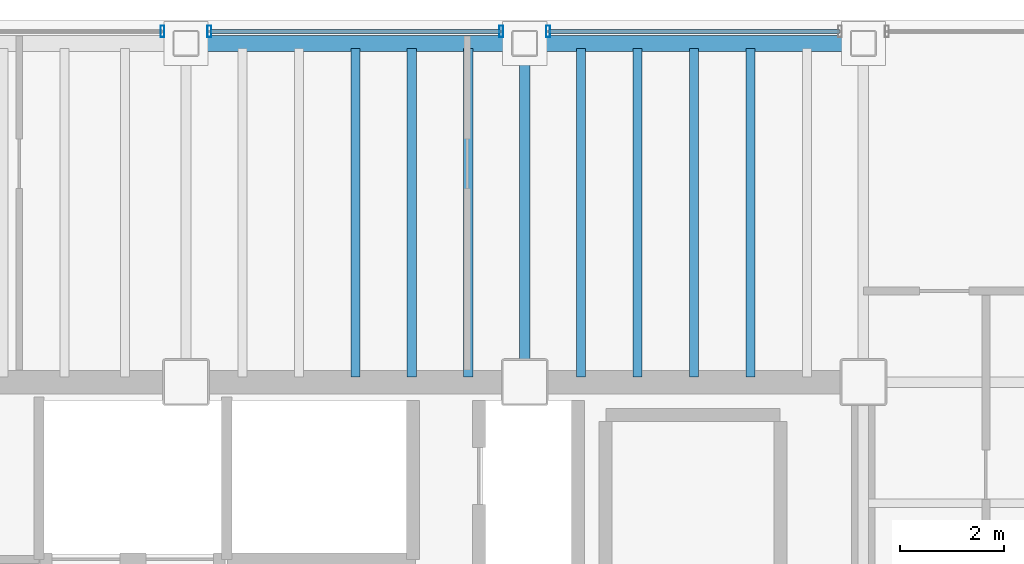
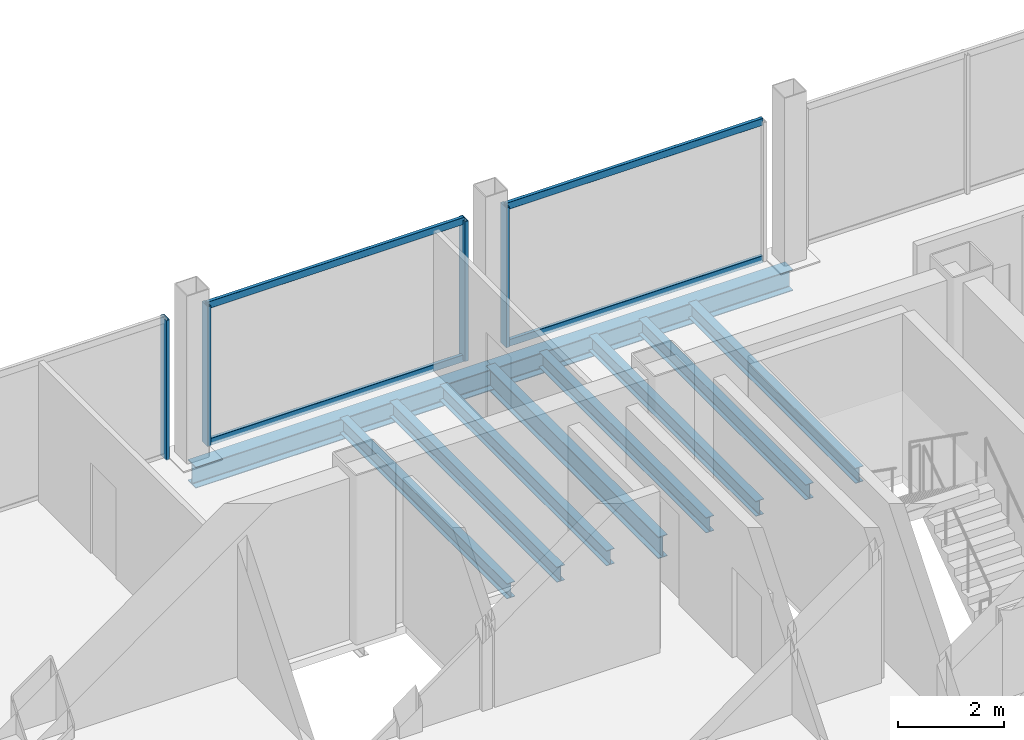
# One storey, part 9 of 15: 10 beams, 8 members, 3 elements without a shape of their own.
"""IFC4 building model written with IfcOpenShell, lengths in metres."""

from ifc_helpers import new_model, si_unit, direction, frame, origin, origin_2d, place, context, subcontext, project, spatial, hollow_rectangle, i_section, extrude, material, material_profile, profile_set, type_object, element, aggregate, save


model = new_model("IFC4")

# Units and contexts
model_context = context("Model", 3, precision=1e-05, world=origin(), true_north=direction((0.0, 1.0)))
body_context = subcontext(model_context, "Body", "Model", "MODEL_VIEW")
ifc_project = project(units=[si_unit("LENGTHUNIT", "METRE"), si_unit("AREAUNIT", "SQUARE_METRE"), si_unit("VOLUMEUNIT", "CUBIC_METRE"), si_unit("PLANEANGLEUNIT", "RADIAN"), si_unit("MASSUNIT", "GRAM", prefix="KILO")], contexts=[model_context])

# Site, building, storey
site_placement = place(None, origin())
site = spatial("IfcSite", under=ifc_project, at=site_placement, CompositionType="ELEMENT")
building_placement = place(site_placement, origin())
building = spatial("IfcBuilding", under=site, at=building_placement, Name="Noeulbin Bourse Tower", CompositionType="ELEMENT")
storey_placement = place(building_placement, frame((0.0, 0.0, 189.0)))
storey = spatial("IfcBuildingStorey", under=building, at=storey_placement, Name="L47", CompositionType="ELEMENT", Elevation=189.0)

# Beams
ifc_material_1 = material(Name="Steel S355", Category="steel")
ifc_material_profile_1 = material_profile(ifc_material_1, i_section(OverallWidth=0.199951171875, OverallDepth=0.5, WebThickness=0.010009765625, FlangeThickness=0.01611328125, FilletRadius=0.02001953125, at=origin_2d()), Name="H-500x200x10x16", Category="LoadBearing")
ifc_profile_set_1 = profile_set([ifc_material_profile_1], Name="Steel S355")
beam_type_1 = type_object("IfcBeamType", Name="BM-GRD-500", PredefinedType="USERDEFINED", material=ifc_profile_set_1)
beam_placement = place(storey_placement, frame((37.5, 38.300048828125, -0.429931640625), z_axis=(0.0, 1.0, 0.0), x_axis=(-1.0, 0.0, 0.0)))
element("IfcBeam", 1, at=beam_placement, inside=storey, type_object=beam_type_1, Name="Tower Primary Girder NS L47-4.4", ObjectType="GIRDER", PredefinedType="USERDEFINED", context=body_context, shape_type="SweptSolid", body=[
    extrude(i_section(OverallWidth=0.199951171875, OverallDepth=0.5, WebThickness=0.010009765625, FlangeThickness=0.01611328125, FilletRadius=0.02001953125, at=origin_2d()), origin(), (0.0, 0.0, 1.0), 6.5),
])
ifc_material_profile_2 = material_profile(ifc_material_1, i_section(OverallWidth=0.175048828125, OverallDepth=0.35009765625, WebThickness=0.007080078125, FlangeThickness=0.010986328125, FilletRadius=0.013916015625, at=origin_2d()), Name="H-350x175x7x11", Category="LoadBearing")
ifc_profile_set_2 = profile_set([ifc_material_profile_2], Name="Steel S355")
beam_type_2 = type_object("IfcBeamType", Name="BM-JST-350", PredefinedType="JOIST", material=ifc_profile_set_2)
for number, where, z_axis, x_axis, name in (
    (2, (34.25, 38.39990234375, -0.35498046875), (0.0, 1.0, 0.0), (-1.0, 0.0, 0.0), "Tower Composite Joist L47-45"),
    (3, (35.333251953125, 38.39990234375, -0.35498046875), (0.0, 1.0, 0.0), (-1.0, 0.0, 0.0), "Tower Composite Joist L47-48"),
    (4, (36.416748046875, 38.39990234375, -0.35498046875), (0.0, 1.0, 0.0), (-1.0, 0.0, 0.0), "Tower Composite Joist L47-51"),
    (5, (38.583251953125, 38.39990234375, -0.35498046875), (0.0, 1.0, 0.0), (-1.0, 0.0, 0.0), "Tower Composite Joist L47-54"),
    (6, (39.666748046875, 38.39990234375, -0.35498046875), (0.0, 1.0, 0.0), (-1.0, 0.0, 0.0), "Tower Composite Joist L47-57"),
    (7, (40.75, 38.39990234375, -0.35498046875), (0.0, 1.0, 0.0), (-1.0, 0.0, 0.0), "Tower Composite Joist L47-60"),
    (8, (41.833251953125, 38.39990234375, -0.35498046875), (0.0, 1.0, 0.0), (-1.0, 0.0, 0.0), "Tower Composite Joist L47-63"),
):
    element("IfcBeam", number, at=place(storey_placement, frame(where, z_axis=z_axis, x_axis=x_axis)), inside=storey, type_object=beam_type_2, Name=name, PredefinedType="JOIST", context=body_context, shape_type="SweptSolid", body=[
        extrude(i_section(OverallWidth=0.175048828125, OverallDepth=0.35009765625, WebThickness=0.007080078125, FlangeThickness=0.010986328125, FilletRadius=0.013916015625, at=origin_2d()), origin(), (0.0, 0.0, 1.0), 6.300048828125),
    ])
ifc_material_profile_3 = material_profile(ifc_material_1, i_section(OverallWidth=0.300048828125, OverallDepth=0.488037109375, WebThickness=0.010986328125, FlangeThickness=0.01806640625, FilletRadius=0.02197265625, at=origin_2d()), Name="H-488x300x11x18", Category="LoadBearing")
ifc_profile_set_3 = profile_set([ifc_material_profile_3], Name="Steel S355")
beam_type_3 = type_object("IfcBeamType", Name="BM-SPN-488", PredefinedType="SPANDREL", material=ifc_profile_set_3)
for number, where, z_axis, x_axis, name in (
    (9, (31.0, 44.800048828125, -0.424072265625), (1.0, 0.0, 0.0), (0.0, 1.0, 0.0), "North Spandrel L47-3"),
    (10, (37.5, 44.800048828125, -0.424072265625), (1.0, 0.0, 0.0), (0.0, 1.0, 0.0), "North Spandrel L47-4"),
):
    element("IfcBeam", number, at=place(storey_placement, frame(where, z_axis=z_axis, x_axis=x_axis)), inside=storey, type_object=beam_type_3, Name=name, PredefinedType="SPANDREL", context=body_context, shape_type="SweptSolid", body=[
        extrude(i_section(OverallWidth=0.300048828125, OverallDepth=0.488037109375, WebThickness=0.010986328125, FlangeThickness=0.01806640625, FilletRadius=0.02197265625, at=origin_2d()), origin(), (0.0, 0.0, 1.0), 6.5),
    ])

# Curtain wall, member
ifc_material_2 = material(Name="Dark Tinted Triple Glazing", Category="glass")
curtain_wall_type = type_object("IfcCurtainWallType", Name="CW-SYS-3", PredefinedType="NOTDEFINED", material=ifc_material_2)
curtain_wall_1_placement = place(storey_placement, origin())
curtain_wall_1 = element("IfcCurtainWall", 11, at=curtain_wall_1_placement, inside=storey, type_object=curtain_wall_type, Name="Unitised Curtain Wall CW-L47-N-S2", PredefinedType="NOTDEFINED")
ifc_material_3 = material(Name="Anodised Aluminium 6063-T6", Category="aluminium")
ifc_material_profile_4 = material_profile(ifc_material_3, hollow_rectangle(XDim=0.074951171875, YDim=0.219970703125, WallThickness=0.0048828125, InnerFilletRadius=0.00244140625, OuterFilletRadius=0.0048828125, at=origin_2d()), Name="ALU-MULL-75x220x5", Category="LoadBearing")
ifc_profile_set_4 = profile_set([ifc_material_profile_4], Name="Anodised Aluminium 6063-T6")
member_type_1 = type_object("IfcMemberType", Name="CW-SYS-3-MUL", PredefinedType="MULLION", material=ifc_profile_set_4)
member_1_placement = place(storey_placement, frame((30.550048828125, 45.030029296875, -0.02001953125), z_axis=(0.0, 0.0, 1.0), x_axis=(1.0, 0.0, 0.0)))
member_1 = element("IfcMember", 12, at=member_1_placement, type_object=member_type_1, Name="Curtain Wall Mullion CW-L47-N-S2-M01", PredefinedType="MULLION", context=body_context, shape_type="SweptSolid", body=[
    extrude(hollow_rectangle(XDim=0.074951171875, YDim=0.219970703125, WallThickness=0.0048828125, InnerFilletRadius=0.00244140625, OuterFilletRadius=0.0048828125, at=origin_2d()), origin(), (0.0, 0.0, 1.0), 3.219970703125),
])
aggregate(curtain_wall_1, [member_1])

# Curtain wall, members
curtain_wall_2_placement = place(storey_placement, origin())
curtain_wall_2 = element("IfcCurtainWall", 13, at=curtain_wall_2_placement, inside=storey, type_object=curtain_wall_type, Name="Unitised Curtain Wall CW-L47-N-S3", PredefinedType="NOTDEFINED")
member_2_placement = place(storey_placement, frame((31.449951171875, 45.030029296875, -0.02001953125), z_axis=(0.0, 0.0, 1.0), x_axis=(1.0, 0.0, 0.0)))
member_2 = element("IfcMember", 14, at=member_2_placement, type_object=member_type_1, Name="Curtain Wall Mullion CW-L47-N-S3-M00", PredefinedType="MULLION", context=body_context, shape_type="SweptSolid", body=[
    extrude(hollow_rectangle(XDim=0.074951171875, YDim=0.219970703125, WallThickness=0.0048828125, InnerFilletRadius=0.00244140625, OuterFilletRadius=0.0048828125, at=origin_2d()), origin(), (0.0, 0.0, 1.0), 3.219970703125),
])
member_3_placement = place(storey_placement, frame((37.050048828125, 45.030029296875, -0.02001953125), z_axis=(0.0, 0.0, 1.0), x_axis=(1.0, 0.0, 0.0)))
member_3 = element("IfcMember", 15, at=member_3_placement, type_object=member_type_1, Name="Curtain Wall Mullion CW-L47-N-S3-M01", PredefinedType="MULLION", context=body_context, shape_type="SweptSolid", body=[
    extrude(hollow_rectangle(XDim=0.074951171875, YDim=0.219970703125, WallThickness=0.0048828125, InnerFilletRadius=0.00244140625, OuterFilletRadius=0.0048828125, at=origin_2d()), origin(), (0.0, 0.0, 1.0), 3.219970703125),
])

# Curtain wall, member
curtain_wall_3_placement = place(storey_placement, origin())
curtain_wall_3 = element("IfcCurtainWall", 16, at=curtain_wall_3_placement, inside=storey, type_object=curtain_wall_type, Name="Unitised Curtain Wall CW-L47-N-S4", PredefinedType="NOTDEFINED")
member_4_placement = place(storey_placement, frame((37.949951171875, 45.030029296875, -0.02001953125), z_axis=(0.0, 0.0, 1.0), x_axis=(1.0, 0.0, 0.0)))
member_4 = element("IfcMember", 17, at=member_4_placement, type_object=member_type_1, Name="Curtain Wall Mullion CW-L47-N-S4-M00", PredefinedType="MULLION", context=body_context, shape_type="SweptSolid", body=[
    extrude(hollow_rectangle(XDim=0.074951171875, YDim=0.219970703125, WallThickness=0.0048828125, InnerFilletRadius=0.00244140625, OuterFilletRadius=0.0048828125, at=origin_2d()), origin(), (0.0, 0.0, 1.0), 3.219970703125),
])

# Member
ifc_material_profile_5 = material_profile(ifc_material_3, hollow_rectangle(XDim=0.074951171875, YDim=0.159912109375, WallThickness=0.0048828125, InnerFilletRadius=0.00244140625, OuterFilletRadius=0.0048828125, at=origin_2d()), Name="ALU-TRAN-75x160x5", Category="LoadBearing")
ifc_profile_set_5 = profile_set([ifc_material_profile_5], Name="Anodised Aluminium 6063-T6")
member_type_2 = type_object("IfcMemberType", Name="CW-SYS-3-TRN", PredefinedType="USERDEFINED", material=ifc_profile_set_5)
member_5_placement = place(storey_placement, frame((31.4599609375, 45.030029296875, 0.010009765625), z_axis=(1.0, 0.0, 0.0), x_axis=(0.0, 1.0, 0.0)))
member_5 = element("IfcMember", 18, at=member_5_placement, type_object=member_type_2, Name="Curtain Wall Transom CW-L47-N-S3-T00", ObjectType="TRANSOM", PredefinedType="USERDEFINED", context=body_context, shape_type="SweptSolid", body=[
    extrude(hollow_rectangle(XDim=0.074951171875, YDim=0.159912109375, WallThickness=0.0048828125, InnerFilletRadius=0.00244140625, OuterFilletRadius=0.0048828125, at=origin_2d()), origin(), (0.0, 0.0, 1.0), 5.580078125),
])

member_6_placement = place(storey_placement, frame((31.4599609375, 45.030029296875, 3.169921875), z_axis=(1.0, 0.0, 0.0), x_axis=(0.0, 1.0, 0.0)))
member_6 = element("IfcMember", 19, at=member_6_placement, type_object=member_type_2, Name="Curtain Wall Transom CW-L47-N-S3-T01", ObjectType="TRANSOM", PredefinedType="USERDEFINED", context=body_context, shape_type="SweptSolid", body=[
    extrude(hollow_rectangle(XDim=0.074951171875, YDim=0.159912109375, WallThickness=0.0048828125, InnerFilletRadius=0.00244140625, OuterFilletRadius=0.0048828125, at=origin_2d()), origin(), (0.0, 0.0, 1.0), 5.580078125),
])

aggregate(curtain_wall_2, [member_2, member_3, member_5, member_6])

member_7_placement = place(storey_placement, frame((37.9599609375, 45.030029296875, 0.010009765625), z_axis=(1.0, 0.0, 0.0), x_axis=(0.0, 1.0, 0.0)))
member_7 = element("IfcMember", 20, at=member_7_placement, type_object=member_type_2, Name="Curtain Wall Transom CW-L47-N-S4-T00", ObjectType="TRANSOM", PredefinedType="USERDEFINED", context=body_context, shape_type="SweptSolid", body=[
    extrude(hollow_rectangle(XDim=0.074951171875, YDim=0.159912109375, WallThickness=0.0048828125, InnerFilletRadius=0.00244140625, OuterFilletRadius=0.0048828125, at=origin_2d()), origin(), (0.0, 0.0, 1.0), 5.580078125),
])

member_8_placement = place(storey_placement, frame((37.9599609375, 45.030029296875, 3.169921875), z_axis=(1.0, 0.0, 0.0), x_axis=(0.0, 1.0, 0.0)))
member_8 = element("IfcMember", 21, at=member_8_placement, type_object=member_type_2, Name="Curtain Wall Transom CW-L47-N-S4-T01", ObjectType="TRANSOM", PredefinedType="USERDEFINED", context=body_context, shape_type="SweptSolid", body=[
    extrude(hollow_rectangle(XDim=0.074951171875, YDim=0.159912109375, WallThickness=0.0048828125, InnerFilletRadius=0.00244140625, OuterFilletRadius=0.0048828125, at=origin_2d()), origin(), (0.0, 0.0, 1.0), 5.580078125),
])

aggregate(curtain_wall_3, [member_4, member_7, member_8])

save(model, "model.ifc")
